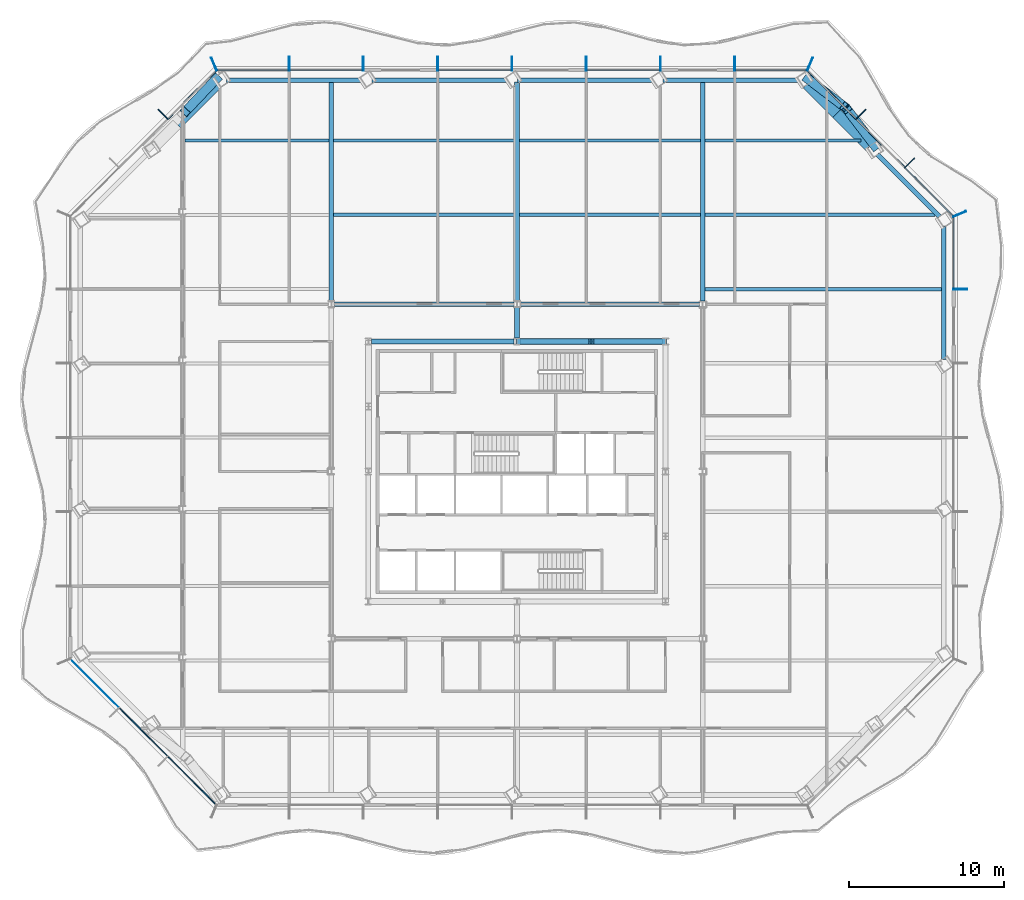
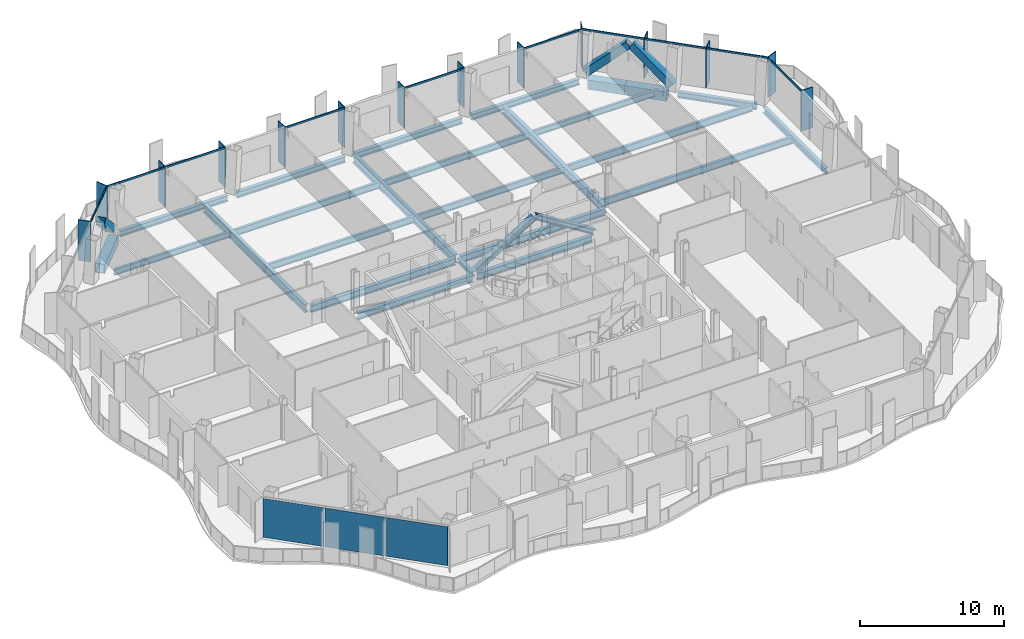
# One storey, part 5 of 22: 29 members, 25 beams, 3 plates, 5 elements without a shape of their own.
"""IFC4 building model written with IfcOpenShell, lengths in metres."""

from ifc_helpers import new_model, si_unit, direction, frame, origin, origin_2d, place, context, subcontext, project, spatial, rectangle, hollow_rectangle, i_section, extrude, material, layer, layer_set, material_profile, profile_set, type_object, element, aggregate, save


model = new_model("IFC4")

# Units and contexts
model_context = context("Model", 3, precision=1e-05, world=origin(), true_north=direction((0.0, 1.0)))
body_context = subcontext(model_context, "Body", "Model", "MODEL_VIEW")
ifc_project = project(units=[si_unit("LENGTHUNIT", "METRE"), si_unit("AREAUNIT", "SQUARE_METRE"), si_unit("VOLUMEUNIT", "CUBIC_METRE"), si_unit("PLANEANGLEUNIT", "RADIAN"), si_unit("MASSUNIT", "GRAM", prefix="KILO")], contexts=[model_context])

# Site, building, storey
site_placement = place(None, origin())
site = spatial("IfcSite", under=ifc_project, at=site_placement, CompositionType="ELEMENT")
building_placement = place(site_placement, origin())
building = spatial("IfcBuilding", under=site, at=building_placement, Name="Cairn Pilgrim Tower", CompositionType="ELEMENT")
storey_placement = place(building_placement, frame((0.0, 0.0, 112.199951171875)))
storey = spatial("IfcBuildingStorey", under=building, at=storey_placement, Name="L27", CompositionType="ELEMENT", Elevation=112.199951171875)

# Members
ifc_material_1 = material(Name="Structural steel S460M", Category="steel")
ifc_material_profile_1 = material_profile(ifc_material_1, hollow_rectangle(XDim=0.60009765625, YDim=0.60009765625, WallThickness=0.034912109375, at=origin_2d()), Name="BOX 600x600x35")
ifc_profile_set_1 = profile_set([ifc_material_profile_1], Name="Structural steel S460M")
member_type_1 = type_object("IfcMemberType", Name="BOX 600x600x35 BRACE", PredefinedType="BRACE", material=ifc_profile_set_1)
member_1_placement = place(storey_placement, frame((30.373779296875, 23.393798828125, 0.150146484375), z_axis=(-0.456701927626, 0.597574257029, 0.659035929703), x_axis=(-0.794528858287, -0.607226393818, 0.0)))
element("IfcMember", 1, at=member_1_placement, inside=storey, type_object=member_type_1, Name="XB-NE2-N1-1", PredefinedType="BRACE", context=body_context, shape_type="SweptSolid", body=[
    extrude(hollow_rectangle(XDim=0.60009765625, YDim=0.60009765625, WallThickness=0.034912109375, at=origin_2d()), origin(), (0.0, 0.0, 1.0), 4.039794921875),
])
member_2_placement = place(storey_placement, frame((25.95068359375, 27.817138671875, 0.150146484375), z_axis=(0.597535401417, -0.456718421008, 0.659059730196), x_axis=(0.607265162511, 0.794499227438, 0.0)))
element("IfcMember", 2, at=member_2_placement, inside=storey, type_object=member_type_1, Name="XB-NE2-N1-2", PredefinedType="BRACE", context=body_context, shape_type="SweptSolid", body=[
    extrude(hollow_rectangle(XDim=0.60009765625, YDim=0.60009765625, WallThickness=0.034912109375, at=origin_2d()), origin(), (0.0, 0.0, 1.0), 4.03955078125),
])
member_3_placement = place(storey_placement, frame((-12.191650390625, 27.817138671875, 0.150146484375), z_axis=(-0.515493224421, -0.54381770314, 0.662215253016), x_axis=(0.725754424786, -0.687953861028, 0.0)))
element("IfcMember", 3, at=member_3_placement, inside=storey, type_object=member_type_1, Name="XB-NW1-NW2-1", PredefinedType="BRACE", context=body_context, shape_type="SweptSolid", body=[
    extrude(hollow_rectangle(XDim=0.60009765625, YDim=0.60009765625, WallThickness=0.034912109375, at=origin_2d()), origin(), (0.0, 0.0, 1.0), 3.9736328125),
])

# Beams
ifc_material_2 = material(Name="Structural steel S355J2", Category="steel")
ifc_material_profile_2 = material_profile(ifc_material_2, hollow_rectangle(XDim=0.699951171875, YDim=0.800048828125, WallThickness=0.0400390625, at=origin_2d()), Name="BOX 700x800x40")
ifc_profile_set_2 = profile_set([ifc_material_profile_2], Name="Structural steel S355J2")
beam_type_1 = type_object("IfcBeamType", Name="BOX 700x800x40 RING GIRDER", PredefinedType="SPANDREL", material=ifc_profile_set_2)
beam_1_placement = place(storey_placement, frame((29.988525390625, 23.404541015625, -0.550048828125), z_axis=(-0.707106781187, 0.707106781187, 0.0), x_axis=(-0.707106781187, -0.707106781187, 0.0)))
element("IfcBeam", 4, at=beam_1_placement, inside=storey, type_object=beam_type_1, Name="RG1-NE2-N1-1", PredefinedType="SPANDREL", context=body_context, shape_type="SweptSolid", body=[
    extrude(hollow_rectangle(XDim=0.699951171875, YDim=0.800048828125, WallThickness=0.0400390625, at=origin_2d()), origin(), (0.0, 0.0, 1.0), 3.009765625),
])
beam_2_placement = place(storey_placement, frame((27.8603515625, 25.53271484375, -0.550048828125), z_axis=(-0.707106781187, 0.707106781187, 0.0), x_axis=(-0.707106781187, -0.707106781187, 0.0)))
element("IfcBeam", 5, at=beam_2_placement, inside=storey, type_object=beam_type_1, Name="RG1-NE2-N1-2", PredefinedType="SPANDREL", context=body_context, shape_type="SweptSolid", body=[
    extrude(hollow_rectangle(XDim=0.699951171875, YDim=0.800048828125, WallThickness=0.0400390625, at=origin_2d()), origin(), (0.0, 0.0, 1.0), 2.685791015625),
])
beam_3_placement = place(storey_placement, frame((-12.202392578125, 27.431884765625, -0.550048828125), z_axis=(-0.70707341214, -0.707140148658, 0.0), x_axis=(0.707140148658, -0.70707341214, 0.0)))
element("IfcBeam", 6, at=beam_3_placement, inside=storey, type_object=beam_type_1, Name="RG1-NW1-NW2-1", PredefinedType="SPANDREL", context=body_context, shape_type="SweptSolid", body=[
    extrude(hollow_rectangle(XDim=0.699951171875, YDim=0.800048828125, WallThickness=0.0400390625, at=origin_2d()), origin(), (0.0, 0.0, 1.0), 3.658203125),
])

# Curtain wall, member
ifc_material_3 = material(Name="Aluminium alloy 6063-T6 bronze anodised with Bronze tinted laminated low-E glass 8+16+8.8", Category="aluminium")
curtain_wall_type_1 = type_object("IfcCurtainWallType", Name="TOWER STICK CURTAIN WALL EW", PredefinedType="NOTDEFINED", material=ifc_material_3)
curtain_wall_1_placement = place(storey_placement, origin())
curtain_wall_1 = element("IfcCurtainWall", 7, at=curtain_wall_1_placement, inside=storey, type_object=curtain_wall_type_1, Name="Tower Stick Curtain Wall Ew E", PredefinedType="NOTDEFINED")
ifc_material_4 = material(Name="Aluminium alloy 6063-T6 bronze anodised", Category="aluminium")
ifc_material_profile_3 = material_profile(ifc_material_4, rectangle(XDim=0.89990234375, YDim=0.06005859375, at=origin_2d()), Name="FIN MULLION 60x900 BRONZE")
ifc_profile_set_3 = profile_set([ifc_material_profile_3], Name="Aluminium alloy 6063-T6 bronze anodised")
member_type_2 = type_object("IfcMemberType", Name="FIN MULLION 60x900 BRONZE", PredefinedType="MULLION", material=ifc_profile_set_3)
member_4_placement = place(storey_placement, frame((35.849609375, 14.186279296875, 0.0), z_axis=(0.0, 0.0, 1.0), x_axis=(1.0, 0.0, 0.0)))
member_4 = element("IfcMember", 8, at=member_4_placement, type_object=member_type_2, Name="Fin mullion E6", PredefinedType="MULLION", context=body_context, shape_type="SweptSolid", body=[
    extrude(rectangle(XDim=0.89990234375, YDim=0.06005859375, at=origin_2d()), origin(), (0.0, 0.0, 1.0), 3.449951171875),
])

# Curtain wall, members
curtain_wall_type_2 = type_object("IfcCurtainWallType", Name="CHAMFER CORNER CURTAIN WALL", PredefinedType="NOTDEFINED", material=ifc_material_3)
curtain_wall_2_placement = place(storey_placement, origin())
curtain_wall_2 = element("IfcCurtainWall", 9, at=curtain_wall_2_placement, inside=storey, type_object=curtain_wall_type_2, Name="Chamfer Corner Curtain Wall NE", PredefinedType="NOTDEFINED")
member_5_placement = place(storey_placement, frame((35.817626953125, 19.04345703125, 0.0), z_axis=(0.0, 0.0, 1.0), x_axis=(0.923879532511, 0.382683432365, 0.0)))
member_5 = element("IfcMember", 10, at=member_5_placement, type_object=member_type_2, Name="Fin mullion NE1", PredefinedType="MULLION", context=body_context, shape_type="SweptSolid", body=[
    extrude(rectangle(XDim=0.89990234375, YDim=0.06005859375, at=origin_2d()), origin(), (0.0, 0.0, 1.0), 3.449951171875),
])
member_6_placement = place(storey_placement, frame((32.5751953125, 22.3310546875, 0.0), z_axis=(0.0, 0.0, 1.0), x_axis=(0.707106781187, 0.707106781187, 0.0)))
member_6 = element("IfcMember", 11, at=member_6_placement, type_object=member_type_2, Name="Fin mullion NE2", PredefinedType="MULLION", context=body_context, shape_type="SweptSolid", body=[
    extrude(rectangle(XDim=0.89990234375, YDim=0.06005859375, at=origin_2d()), origin(), (0.0, 0.0, 1.0), 3.449951171875),
])
member_7_placement = place(storey_placement, frame((29.424072265625, 25.482177734375, 0.0), z_axis=(0.0, 0.0, 1.0), x_axis=(0.707106781187, 0.707106781187, 0.0)))
member_7 = element("IfcMember", 12, at=member_7_placement, type_object=member_type_2, Name="Fin mullion NE3", PredefinedType="MULLION", context=body_context, shape_type="SweptSolid", body=[
    extrude(rectangle(XDim=0.89990234375, YDim=0.06005859375, at=origin_2d()), origin(), (0.0, 0.0, 1.0), 3.449951171875),
])

curtain_wall_type_3 = type_object("IfcCurtainWallType", Name="TOWER STICK CURTAIN WALL NS", PredefinedType="NOTDEFINED", material=ifc_material_3)
curtain_wall_3_placement = place(storey_placement, origin())
curtain_wall_3 = element("IfcCurtainWall", 13, at=curtain_wall_3_placement, inside=storey, type_object=curtain_wall_type_3, Name="Tower Stick Curtain Wall Ns N", PredefinedType="NOTDEFINED")
member_8_placement = place(storey_placement, frame((26.13671875, 28.724365234375, 0.0), z_axis=(0.0, 0.0, 1.0), x_axis=(0.382683432365, 0.923879532511, 0.0)))
member_8 = element("IfcMember", 14, at=member_8_placement, type_object=member_type_2, Name="Fin mullion N1", PredefinedType="MULLION", context=body_context, shape_type="SweptSolid", body=[
    extrude(rectangle(XDim=0.89990234375, YDim=0.06005859375, at=origin_2d()), origin(), (0.0, 0.0, 1.0), 3.449951171875),
])
member_9_placement = place(storey_placement, frame((21.279541015625, 28.75634765625, 0.0), z_axis=(0.0, 0.0, 1.0), x_axis=(0.0, 1.0, 0.0)))
member_9 = element("IfcMember", 15, at=member_9_placement, type_object=member_type_2, Name="Fin mullion N2", PredefinedType="MULLION", context=body_context, shape_type="SweptSolid", body=[
    extrude(rectangle(XDim=0.89990234375, YDim=0.06005859375, at=origin_2d()), origin(), (0.0, 0.0, 1.0), 3.449951171875),
])
member_10_placement = place(storey_placement, frame((16.4794921875, 28.75634765625, 0.0), z_axis=(0.0, 0.0, 1.0), x_axis=(0.0, 1.0, 0.0)))
member_10 = element("IfcMember", 16, at=member_10_placement, type_object=member_type_2, Name="Fin mullion N3", PredefinedType="MULLION", context=body_context, shape_type="SweptSolid", body=[
    extrude(rectangle(XDim=0.89990234375, YDim=0.06005859375, at=origin_2d()), origin(), (0.0, 0.0, 1.0), 3.449951171875),
])
member_11_placement = place(storey_placement, frame((11.679443359375, 28.75634765625, 0.0), z_axis=(0.0, 0.0, 1.0), x_axis=(0.0, 1.0, 0.0)))
member_11 = element("IfcMember", 17, at=member_11_placement, type_object=member_type_2, Name="Fin mullion N4", PredefinedType="MULLION", context=body_context, shape_type="SweptSolid", body=[
    extrude(rectangle(XDim=0.89990234375, YDim=0.06005859375, at=origin_2d()), origin(), (0.0, 0.0, 1.0), 3.449951171875),
])
member_12_placement = place(storey_placement, frame((6.87939453125, 28.75634765625, 0.0), z_axis=(0.0, 0.0, 1.0), x_axis=(0.0, 1.0, 0.0)))
member_12 = element("IfcMember", 18, at=member_12_placement, type_object=member_type_2, Name="Fin mullion N5", PredefinedType="MULLION", context=body_context, shape_type="SweptSolid", body=[
    extrude(rectangle(XDim=0.89990234375, YDim=0.06005859375, at=origin_2d()), origin(), (0.0, 0.0, 1.0), 3.449951171875),
])
member_13_placement = place(storey_placement, frame((2.07958984375, 28.75634765625, 0.0), z_axis=(0.0, 0.0, 1.0), x_axis=(0.0, 1.0, 0.0)))
member_13 = element("IfcMember", 19, at=member_13_placement, type_object=member_type_2, Name="Fin mullion N6", PredefinedType="MULLION", context=body_context, shape_type="SweptSolid", body=[
    extrude(rectangle(XDim=0.89990234375, YDim=0.06005859375, at=origin_2d()), origin(), (0.0, 0.0, 1.0), 3.449951171875),
])
member_14_placement = place(storey_placement, frame((-2.720458984375, 28.75634765625, 0.0), z_axis=(0.0, 0.0, 1.0), x_axis=(0.0, 1.0, 0.0)))
member_14 = element("IfcMember", 20, at=member_14_placement, type_object=member_type_2, Name="Fin mullion N7", PredefinedType="MULLION", context=body_context, shape_type="SweptSolid", body=[
    extrude(rectangle(XDim=0.89990234375, YDim=0.06005859375, at=origin_2d()), origin(), (0.0, 0.0, 1.0), 3.449951171875),
])
member_15_placement = place(storey_placement, frame((-7.5205078125, 28.75634765625, 0.0), z_axis=(0.0, 0.0, 1.0), x_axis=(0.0, 1.0, 0.0)))
member_15 = element("IfcMember", 21, at=member_15_placement, type_object=member_type_2, Name="Fin mullion N8", PredefinedType="MULLION", context=body_context, shape_type="SweptSolid", body=[
    extrude(rectangle(XDim=0.89990234375, YDim=0.06005859375, at=origin_2d()), origin(), (0.0, 0.0, 1.0), 3.449951171875),
])

curtain_wall_4_placement = place(storey_placement, origin())
curtain_wall_4 = element("IfcCurtainWall", 22, at=curtain_wall_4_placement, inside=storey, type_object=curtain_wall_type_2, Name="Chamfer Corner Curtain Wall NW", PredefinedType="NOTDEFINED")
member_16_placement = place(storey_placement, frame((-12.377685546875, 28.724365234375, 0.0), z_axis=(0.0, 0.0, 1.0), x_axis=(-0.382683432365, 0.923879532511, 0.0)))
member_16 = element("IfcMember", 23, at=member_16_placement, type_object=member_type_2, Name="Fin mullion NW1", PredefinedType="MULLION", context=body_context, shape_type="SweptSolid", body=[
    extrude(rectangle(XDim=0.89990234375, YDim=0.06005859375, at=origin_2d()), origin(), (0.0, 0.0, 1.0), 3.449951171875),
])
member_17_placement = place(storey_placement, frame((-15.6650390625, 25.482177734375, 0.0), z_axis=(0.0, 0.0, 1.0), x_axis=(-0.707106781187, 0.707106781187, 0.0)))
member_17 = element("IfcMember", 24, at=member_17_placement, type_object=member_type_2, Name="Fin mullion NW2", PredefinedType="MULLION", context=body_context, shape_type="SweptSolid", body=[
    extrude(rectangle(XDim=0.89990234375, YDim=0.06005859375, at=origin_2d()), origin(), (0.0, 0.0, 1.0), 3.449951171875),
])

# Members
ifc_material_profile_4 = material_profile(ifc_material_1, i_section(OverallWidth=0.408935546875, OverallDepth=0.425048828125, WebThickness=0.03271484375, FlangeThickness=0.052490234375, FilletRadius=0.014892578125, at=origin_2d()), Name="HD 400x421")
ifc_profile_set_4 = profile_set([ifc_material_profile_4], Name="Structural steel S460M")
member_type_3 = type_object("IfcMemberType", Name="HD 400x421 BRACE", PredefinedType="BRACE", material=ifc_profile_set_4)
for number, where, z_axis, x_axis, name in (
    (25, (16.757568359375, 10.800048828125, 0.10009765625), (-0.851063308605, 0.0, 0.525063086444), (0.0, -1.0, 0.0), "KB-3A"),
    (26, (7.242431640625, 10.800048828125, 0.10009765625), (0.851063308605, 0.0, 0.525063086444), (0.0, 1.0, 0.0), "KB-3B"),
):
    element("IfcMember", number, at=place(storey_placement, frame(where, z_axis=z_axis, x_axis=x_axis)), inside=storey, type_object=member_type_3, Name=name, PredefinedType="BRACE", context=body_context, shape_type="SweptSolid", body=[
        extrude(i_section(OverallWidth=0.408935546875, OverallDepth=0.425048828125, WebThickness=0.03271484375, FlangeThickness=0.052490234375, FilletRadius=0.014892578125, at=origin_2d()), origin(), (0.0, 0.0, 1.0), 5.527587890625),
    ])

# Beams
ifc_material_profile_5 = material_profile(ifc_material_2, i_section(OverallWidth=0.300048828125, OverallDepth=0.39990234375, WebThickness=0.013427734375, FlangeThickness=0.02392578125, FilletRadius=0.027099609375, at=origin_2d()), Name="HEB 400")
ifc_profile_set_5 = profile_set([ifc_material_profile_5], Name="Structural steel S355J2")
beam_type_2 = type_object("IfcBeamType", Name="HEB 400 GIRDER", PredefinedType="BEAM", material=ifc_profile_set_5)
beam_4_placement = place(storey_placement, frame((7.199951171875, 11.011962890625, -0.349853515625), z_axis=(0.0, 1.0, 0.0), x_axis=(-1.0, 0.0, 0.0)))
element("IfcBeam", 27, at=beam_4_placement, inside=storey, type_object=beam_type_2, Name="PG3-E2", PredefinedType="BEAM", context=body_context, shape_type="SweptSolid", body=[
    extrude(i_section(OverallWidth=0.300048828125, OverallDepth=0.39990234375, WebThickness=0.013427734375, FlangeThickness=0.02392578125, FilletRadius=0.027099609375, at=origin_2d()), origin(), (0.0, 0.0, 1.0), 1.983642578125),
])
ifc_material_profile_6 = material_profile(ifc_material_2, i_section(OverallWidth=0.300048828125, OverallDepth=0.5, WebThickness=0.014404296875, FlangeThickness=0.028076171875, FilletRadius=0.027099609375, at=origin_2d()), Name="HEB 500")
ifc_profile_set_6 = profile_set([ifc_material_profile_6], Name="Structural steel S355J2")
beam_type_3 = type_object("IfcBeamType", Name="HEB 500 RING GIRDER", PredefinedType="SPANDREL", material=ifc_profile_set_6)
beam_5_placement = place(storey_placement, frame((34.779541015625, 9.6220703125, -0.39990234375), z_axis=(0.0, 1.0, 0.0), x_axis=(-1.0, 0.0, 0.0)))
element("IfcBeam", 28, at=beam_5_placement, inside=storey, type_object=beam_type_3, Name="RG1-E3-NE1", PredefinedType="SPANDREL", context=body_context, shape_type="SweptSolid", body=[
    extrude(i_section(OverallWidth=0.300048828125, OverallDepth=0.5, WebThickness=0.014404296875, FlangeThickness=0.028076171875, FilletRadius=0.027099609375, at=origin_2d()), origin(), (0.0, 0.0, 1.0), 8.63134765625),
])
beam_6_placement = place(storey_placement, frame((34.52490234375, 18.8681640625, -0.39990234375), z_axis=(-0.707085347538, 0.707128214185, 0.0), x_axis=(-0.707128214185, -0.707085347538, 0.0)))
element("IfcBeam", 29, at=beam_6_placement, inside=storey, type_object=beam_type_3, Name="RG1-NE1-NE2", PredefinedType="SPANDREL", context=body_context, shape_type="SweptSolid", body=[
    extrude(i_section(OverallWidth=0.300048828125, OverallDepth=0.5, WebThickness=0.014404296875, FlangeThickness=0.028076171875, FilletRadius=0.027099609375, at=origin_2d()), origin(), (0.0, 0.0, 1.0), 5.6953125),
])
for number, where, z_axis, x_axis, name in (
    (30, (25.3466796875, 27.686279296875, -0.39990234375), (-1.0, 0.0, 0.0), (0.0, -1.0, 0.0), "RG1-N1-N2"),
    (31, (15.93310546875, 27.686279296875, -0.39990234375), (-1.0, 0.0, 0.0), (0.0, -1.0, 0.0), "RG1-N2-N3"),
    (32, (6.51953125, 27.686279296875, -0.39990234375), (-1.0, 0.0, 0.0), (0.0, -1.0, 0.0), "RG1-N3-N4"),
    (33, (-2.89404296875, 27.686279296875, -0.39990234375), (-1.0, 0.0, 0.0), (0.0, -1.0, 0.0), "RG1-N4-NW1"),
):
    element("IfcBeam", number, at=place(storey_placement, frame(where, z_axis=z_axis, x_axis=x_axis)), inside=storey, type_object=beam_type_3, Name=name, PredefinedType="SPANDREL", context=body_context, shape_type="SweptSolid", body=[
        extrude(i_section(OverallWidth=0.300048828125, OverallDepth=0.5, WebThickness=0.014404296875, FlangeThickness=0.028076171875, FilletRadius=0.027099609375, at=origin_2d()), origin(), (0.0, 0.0, 1.0), 8.693603515625),
    ])
ifc_material_profile_7 = material_profile(ifc_material_2, i_section(OverallWidth=0.300048828125, OverallDepth=0.60009765625, WebThickness=0.015380859375, FlangeThickness=0.030029296875, FilletRadius=0.027099609375, at=origin_2d()), Name="HEB 600")
ifc_profile_set_7 = profile_set([ifc_material_profile_7], Name="Structural steel S355J2")
beam_type_4 = type_object("IfcBeamType", Name="HEB 600 CORE BEAM", PredefinedType="BEAM", material=ifc_profile_set_7)
beam_7_placement = place(storey_placement, frame((16.609130859375, 10.800048828125, -0.449951171875), z_axis=(-1.0, 0.0, 0.0), x_axis=(0.0, -1.0, 0.0)))
element("IfcBeam", 34, at=beam_7_placement, inside=storey, type_object=beam_type_4, Name="CB-5", PredefinedType="BEAM", context=body_context, shape_type="SweptSolid", body=[
    extrude(i_section(OverallWidth=0.300048828125, OverallDepth=0.60009765625, WebThickness=0.015380859375, FlangeThickness=0.030029296875, FilletRadius=0.027099609375, at=origin_2d()), origin(), (0.0, 0.0, 1.0), 9.21826171875),
])
beam_8_placement = place(storey_placement, frame((7.00927734375, 10.800048828125, -0.449951171875), z_axis=(-1.0, 0.0, 0.0), x_axis=(0.0, -1.0, 0.0)))
element("IfcBeam", 35, at=beam_8_placement, inside=storey, type_object=beam_type_4, Name="CB-6", PredefinedType="BEAM", context=body_context, shape_type="SweptSolid", body=[
    extrude(i_section(OverallWidth=0.300048828125, OverallDepth=0.60009765625, WebThickness=0.015380859375, FlangeThickness=0.030029296875, FilletRadius=0.027099609375, at=origin_2d()), origin(), (0.0, 0.0, 1.0), 9.218505859375),
])
ifc_material_profile_8 = material_profile(ifc_material_2, i_section(OverallWidth=0.300048828125, OverallDepth=0.60009765625, WebThickness=0.015380859375, FlangeThickness=0.030029296875, FilletRadius=0.027099609375, at=origin_2d()), Name="HEB 600")
ifc_profile_set_8 = profile_set([ifc_material_profile_8], Name="Structural steel S355J2")
beam_type_5 = type_object("IfcBeamType", Name="HEB 600 INNER GIRDER", PredefinedType="BEAM", material=ifc_profile_set_8)
for number, where, z_axis, x_axis, name in (
    (36, (-4.595458984375, 13.199951171875, -0.449951171875), (1.0, 0.0, 0.0), (0.0, 1.0, 0.0), "IG2-1"),
    (37, (7.404541015625, 13.199951171875, -0.449951171875), (1.0, 0.0, 0.0), (0.0, 1.0, 0.0), "IG2-2"),
):
    element("IfcBeam", number, at=place(storey_placement, frame(where, z_axis=z_axis, x_axis=x_axis)), inside=storey, type_object=beam_type_5, Name=name, PredefinedType="BEAM", context=body_context, shape_type="SweptSolid", body=[
        extrude(i_section(OverallWidth=0.300048828125, OverallDepth=0.60009765625, WebThickness=0.015380859375, FlangeThickness=0.030029296875, FilletRadius=0.027099609375, at=origin_2d()), origin(), (0.0, 0.0, 1.0), 11.591064453125),
    ])
ifc_material_profile_9 = material_profile(ifc_material_2, i_section(OverallWidth=0.300048828125, OverallDepth=0.699951171875, WebThickness=0.01708984375, FlangeThickness=0.031982421875, FilletRadius=0.027099609375, at=origin_2d()), Name="HEB 700")
ifc_profile_set_9 = profile_set([ifc_material_profile_9], Name="Structural steel S355J2")
beam_type_6 = type_object("IfcBeamType", Name="HEB 700 GIRDER", PredefinedType="BEAM", material=ifc_profile_set_9)
for number, where, z_axis, x_axis, name in (
    (38, (-4.800048828125, 13.404541015625, -0.5), (0.0, 1.0, 0.0), (-1.0, 0.0, 0.0), "PG2-4"),
    (39, (7.199951171875, 13.404541015625, -0.5), (0.0, 1.0, 0.0), (-1.0, 0.0, 0.0), "PG3-2"),
    (40, (19.199951171875, 13.404541015625, -0.5), (0.0, 1.0, 0.0), (-1.0, 0.0, 0.0), "PG4-4"),
):
    element("IfcBeam", number, at=place(storey_placement, frame(where, z_axis=z_axis, x_axis=x_axis)), inside=storey, type_object=beam_type_6, Name=name, PredefinedType="BEAM", context=body_context, shape_type="SweptSolid", body=[
        extrude(i_section(OverallWidth=0.300048828125, OverallDepth=0.699951171875, WebThickness=0.01708984375, FlangeThickness=0.031982421875, FilletRadius=0.027099609375, at=origin_2d()), origin(), (0.0, 0.0, 1.0), 14.161865234375),
    ])
ifc_material_profile_10 = material_profile(ifc_material_2, i_section(OverallWidth=0.199951171875, OverallDepth=0.5, WebThickness=0.01025390625, FlangeThickness=0.01611328125, FilletRadius=0.02099609375, at=origin_2d()), Name="IPE 500")
ifc_profile_set_10 = profile_set([ifc_material_profile_10], Name="Structural steel S355J2")
beam_type_7 = type_object("IfcBeamType", Name="IPE 500 SECONDARY BEAM", PredefinedType="JOIST", material=ifc_profile_set_10)
beam_9_placement = place(storey_placement, frame((-14.25, 23.786376953125, -0.39990234375), z_axis=(1.0, 0.0, 0.0), x_axis=(0.0, 1.0, 0.0)))
element("IfcBeam", 41, at=beam_9_placement, inside=storey, type_object=beam_type_7, Name="SB9-1", PredefinedType="JOIST", context=body_context, shape_type="SweptSolid", body=[
    extrude(i_section(OverallWidth=0.199951171875, OverallDepth=0.5, WebThickness=0.01025390625, FlangeThickness=0.01611328125, FilletRadius=0.02099609375, at=origin_2d()), origin(), (0.0, 0.0, 1.0), 9.300048828125),
])
beam_10_placement = place(storey_placement, frame((19.35009765625, 23.786376953125, -0.39990234375), z_axis=(1.0, 0.0, 0.0), x_axis=(0.0, 1.0, 0.0)))
element("IfcBeam", 42, at=beam_10_placement, inside=storey, type_object=beam_type_7, Name="SB9-4", PredefinedType="JOIST", context=body_context, shape_type="SweptSolid", body=[
    extrude(i_section(OverallWidth=0.199951171875, OverallDepth=0.5, WebThickness=0.01025390625, FlangeThickness=0.01611328125, FilletRadius=0.02099609375, at=origin_2d()), origin(), (0.0, 0.0, 1.0), 10.074462890625),
])
ifc_material_profile_11 = material_profile(ifc_material_2, i_section(OverallWidth=0.2099609375, OverallDepth=0.550048828125, WebThickness=0.010986328125, FlangeThickness=0.01708984375, FilletRadius=0.02392578125, at=origin_2d()), Name="IPE 550")
ifc_profile_set_11 = profile_set([ifc_material_profile_11], Name="Structural steel S355J2")
beam_type_8 = type_object("IfcBeamType", Name="IPE 550 SECONDARY BEAM", PredefinedType="JOIST", material=ifc_profile_set_11)
for number, where, z_axis, x_axis, name in (
    (43, (-4.64990234375, 18.986328125, -0.425048828125), (1.0, 0.0, 0.0), (0.0, 1.0, 0.0), "SB8-3"),
    (44, (7.35009765625, 18.986328125, -0.425048828125), (1.0, 0.0, 0.0), (0.0, 1.0, 0.0), "SB8-4"),
    (45, (-4.64990234375, 23.786376953125, -0.425048828125), (1.0, 0.0, 0.0), (0.0, 1.0, 0.0), "SB9-2"),
    (46, (7.35009765625, 23.786376953125, -0.425048828125), (1.0, 0.0, 0.0), (0.0, 1.0, 0.0), "SB9-3"),
):
    element("IfcBeam", number, at=place(storey_placement, frame(where, z_axis=z_axis, x_axis=x_axis)), inside=storey, type_object=beam_type_8, Name=name, PredefinedType="JOIST", context=body_context, shape_type="SweptSolid", body=[
        extrude(i_section(OverallWidth=0.2099609375, OverallDepth=0.550048828125, WebThickness=0.010986328125, FlangeThickness=0.01708984375, FilletRadius=0.02392578125, at=origin_2d()), origin(), (0.0, 0.0, 1.0), 11.699951171875),
    ])
ifc_material_profile_12 = material_profile(ifc_material_2, i_section(OverallWidth=0.219970703125, OverallDepth=0.60009765625, WebThickness=0.011962890625, FlangeThickness=0.01904296875, FilletRadius=0.02392578125, at=origin_2d()), Name="IPE 600")
ifc_profile_set_12 = profile_set([ifc_material_profile_12], Name="Structural steel S355J2")
beam_type_9 = type_object("IfcBeamType", Name="IPE 600 SECONDARY BEAM", PredefinedType="JOIST", material=ifc_profile_set_12)
beam_11_placement = place(storey_placement, frame((19.35009765625, 14.186279296875, -0.449951171875), z_axis=(1.0, 0.0, 0.0), x_axis=(0.0, 1.0, 0.0)))
element("IfcBeam", 47, at=beam_11_placement, inside=storey, type_object=beam_type_9, Name="SB7-3", PredefinedType="JOIST", context=body_context, shape_type="SweptSolid", body=[
    extrude(i_section(OverallWidth=0.219970703125, OverallDepth=0.60009765625, WebThickness=0.011962890625, FlangeThickness=0.01904296875, FilletRadius=0.02392578125, at=origin_2d()), origin(), (0.0, 0.0, 1.0), 15.309326171875),
])
beam_12_placement = place(storey_placement, frame((19.35009765625, 18.986328125, -0.449951171875), z_axis=(1.0, 0.0, 0.0), x_axis=(0.0, 1.0, 0.0)))
element("IfcBeam", 48, at=beam_12_placement, inside=storey, type_object=beam_type_9, Name="SB8-5", PredefinedType="JOIST", context=body_context, shape_type="SweptSolid", body=[
    extrude(i_section(OverallWidth=0.219970703125, OverallDepth=0.60009765625, WebThickness=0.011962890625, FlangeThickness=0.01904296875, FilletRadius=0.02392578125, at=origin_2d()), origin(), (0.0, 0.0, 1.0), 14.87451171875),
])

# Member
ifc_material_profile_13 = material_profile(ifc_material_4, rectangle(XDim=0.080078125, YDim=0.14990234375, at=origin_2d()), Name="TRANSOM 80x150 BRONZE")
ifc_profile_set_13 = profile_set([ifc_material_profile_13], Name="Aluminium alloy 6063-T6 bronze anodised")
member_type_4 = type_object("IfcMemberType", Name="TRANSOM 80x150 BRONZE", PredefinedType="USERDEFINED", material=ifc_profile_set_13)
member_18_placement = place(storey_placement, frame((35.429443359375, 14.21630859375, 3.375), z_axis=(0.0, 1.0, 0.0), x_axis=(-1.0, 0.0, 0.0)))
member_18 = element("IfcMember", 49, at=member_18_placement, type_object=member_type_4, Name="Transom E6", ObjectType="TRANSOM", PredefinedType="USERDEFINED", context=body_context, shape_type="SweptSolid", body=[
    extrude(rectangle(XDim=0.080078125, YDim=0.14990234375, at=origin_2d()), origin(), (0.0, 0.0, 1.0), 4.62646484375),
])

aggregate(curtain_wall_1, [member_4, member_18])

member_19_placement = place(storey_placement, frame((35.401123046875, 18.9111328125, 3.375), z_axis=(-0.707106781187, 0.707106781187, 0.0), x_axis=(-0.707106781187, -0.707106781187, 0.0)))
member_19 = element("IfcMember", 50, at=member_19_placement, type_object=member_type_4, Name="Transom NE1", ObjectType="TRANSOM", PredefinedType="USERDEFINED", context=body_context, shape_type="SweptSolid", body=[
    extrude(rectangle(XDim=0.080078125, YDim=0.14990234375, at=origin_2d()), origin(), (0.0, 0.0, 1.0), 4.38623046875),
])

member_20_placement = place(storey_placement, frame((32.257080078125, 22.05517578125, 3.375), z_axis=(-0.707079015032, 0.707134546251, 0.0), x_axis=(-0.707134546251, -0.707079015032, 0.0)))
member_20 = element("IfcMember", 51, at=member_20_placement, type_object=member_type_4, Name="Transom NE2", ObjectType="TRANSOM", PredefinedType="USERDEFINED", context=body_context, shape_type="SweptSolid", body=[
    extrude(rectangle(XDim=0.080078125, YDim=0.14990234375, at=origin_2d()), origin(), (0.0, 0.0, 1.0), 4.396484375),
])

member_21_placement = place(storey_placement, frame((29.10595703125, 25.206298828125, 3.375), z_axis=(-0.707106781187, 0.707106781187, 0.0), x_axis=(-0.707106781187, -0.707106781187, 0.0)))
member_21 = element("IfcMember", 52, at=member_21_placement, type_object=member_type_4, Name="Transom NE3", ObjectType="TRANSOM", PredefinedType="USERDEFINED", context=body_context, shape_type="SweptSolid", body=[
    extrude(rectangle(XDim=0.080078125, YDim=0.14990234375, at=origin_2d()), origin(), (0.0, 0.0, 1.0), 4.38671875),
])

aggregate(curtain_wall_2, [member_5, member_6, member_7, member_19, member_20, member_21])

member_22_placement = place(storey_placement, frame((25.93603515625, 28.33642578125, 3.375), z_axis=(-1.0, 0.0, 0.0), x_axis=(0.0, -1.0, 0.0)))
member_22 = element("IfcMember", 53, at=member_22_placement, type_object=member_type_4, Name="Transom N1", ObjectType="TRANSOM", PredefinedType="USERDEFINED", context=body_context, shape_type="SweptSolid", body=[
    extrude(rectangle(XDim=0.080078125, YDim=0.14990234375, at=origin_2d()), origin(), (0.0, 0.0, 1.0), 4.62646484375),
])

member_23_placement = place(storey_placement, frame((16.449462890625, 28.33642578125, 3.375), z_axis=(-1.0, 0.0, 0.0), x_axis=(0.0, -1.0, 0.0)))
member_23 = element("IfcMember", 54, at=member_23_placement, type_object=member_type_4, Name="Transom N3", ObjectType="TRANSOM", PredefinedType="USERDEFINED", context=body_context, shape_type="SweptSolid", body=[
    extrude(rectangle(XDim=0.080078125, YDim=0.14990234375, at=origin_2d()), origin(), (0.0, 0.0, 1.0), 4.739990234375),
])

member_24_placement = place(storey_placement, frame((6.849609375, 28.33642578125, 3.375), z_axis=(-1.0, 0.0, 0.0), x_axis=(0.0, -1.0, 0.0)))
member_24 = element("IfcMember", 55, at=member_24_placement, type_object=member_type_4, Name="Transom N5", ObjectType="TRANSOM", PredefinedType="USERDEFINED", context=body_context, shape_type="SweptSolid", body=[
    extrude(rectangle(XDim=0.080078125, YDim=0.14990234375, at=origin_2d()), origin(), (0.0, 0.0, 1.0), 4.739990234375),
])

member_25_placement = place(storey_placement, frame((-2.75048828125, 28.33642578125, 3.375), z_axis=(-1.0, 0.0, 0.0), x_axis=(0.0, -1.0, 0.0)))
member_25 = element("IfcMember", 56, at=member_25_placement, type_object=member_type_4, Name="Transom N7", ObjectType="TRANSOM", PredefinedType="USERDEFINED", context=body_context, shape_type="SweptSolid", body=[
    extrude(rectangle(XDim=0.080078125, YDim=0.14990234375, at=origin_2d()), origin(), (0.0, 0.0, 1.0), 4.739990234375),
])

member_26_placement = place(storey_placement, frame((-7.550537109375, 28.33642578125, 3.375), z_axis=(-1.0, 0.0, 0.0), x_axis=(0.0, -1.0, 0.0)))
member_26 = element("IfcMember", 57, at=member_26_placement, type_object=member_type_4, Name="Transom N8", ObjectType="TRANSOM", PredefinedType="USERDEFINED", context=body_context, shape_type="SweptSolid", body=[
    extrude(rectangle(XDim=0.080078125, YDim=0.14990234375, at=origin_2d()), origin(), (0.0, 0.0, 1.0), 4.62646484375),
])

aggregate(curtain_wall_3, [member_8, member_9, member_10, member_11, member_12, member_13, member_14, member_15, member_22, member_23, member_24, member_25, member_26])

member_27_placement = place(storey_placement, frame((-12.2451171875, 28.30810546875, 3.375), z_axis=(-0.707106781187, -0.707106781187, 0.0), x_axis=(0.707106781187, -0.707106781187, 0.0)))
member_27 = element("IfcMember", 58, at=member_27_placement, type_object=member_type_4, Name="Transom NW1", ObjectType="TRANSOM", PredefinedType="USERDEFINED", context=body_context, shape_type="SweptSolid", body=[
    extrude(rectangle(XDim=0.080078125, YDim=0.14990234375, at=origin_2d()), origin(), (0.0, 0.0, 1.0), 4.38671875),
])

aggregate(curtain_wall_4, [member_16, member_17, member_27])

# Curtain wall, plates
curtain_wall_5_placement = place(storey_placement, origin())
curtain_wall_5 = element("IfcCurtainWall", 59, at=curtain_wall_5_placement, inside=storey, type_object=curtain_wall_type_2, Name="Chamfer Corner Curtain Wall SW", PredefinedType="NOTDEFINED")
ifc_material_5 = material(Name="Bronze anodised aluminium spandrel panel with mineral wool insulation", Category="aluminium")
ifc_layer_1 = layer(ifc_material_5, 0.06005859375)
ifc_layer_set_1 = layer_set([ifc_layer_1], Name="SPANDREL PANEL 4386x3300")
plate_type_1 = type_object("IfcPlateType", Name="SPANDREL PANEL 4386x3300", PredefinedType="CURTAIN_PANEL", material=ifc_layer_set_1)
plate_1_placement = place(storey_placement, frame((-13.796142578125, -17.58447265625, 0.0), z_axis=(0.0, 0.0, 1.0), x_axis=(0.707106781187, -0.707106781187, 0.0)))
plate_1 = element("IfcPlate", 60, at=plate_1_placement, type_object=plate_type_1, Name="Spandrel Panel SW3-1", PredefinedType="CURTAIN_PANEL", context=body_context, shape_type="SweptSolid", body=[
    extrude(rectangle(XDim=4.386474609375, YDim=0.06005859375, at=origin_2d()), origin(), (0.0, 0.0, 1.0), 3.300048828125),
])
ifc_layer_2 = layer(ifc_material_5, 0.06005859375)
ifc_layer_set_2 = layer_set([ifc_layer_2], Name="SPANDREL PANEL 4396x3300")
plate_type_2 = type_object("IfcPlateType", Name="SPANDREL PANEL 4396x3300", PredefinedType="CURTAIN_PANEL", material=ifc_layer_set_2)
plate_2_placement = place(storey_placement, frame((-16.943603515625, -14.436767578125, 0.0), z_axis=(0.0, 0.0, 1.0), x_axis=(0.707106781187, -0.707106781187, 0.0)))
plate_2 = element("IfcPlate", 61, at=plate_2_placement, type_object=plate_type_2, Name="Spandrel Panel SW2-1", PredefinedType="CURTAIN_PANEL", context=body_context, shape_type="SweptSolid", body=[
    extrude(rectangle(XDim=4.396484375, YDim=0.06005859375, at=origin_2d()), origin(), (0.0, 0.0, 1.0), 3.300048828125),
])
ifc_material_6 = material(Name="Bronze tinted laminated low-E glass 8+16+8.8", Category="glass")
ifc_layer_3 = layer(ifc_material_6, 0.033935546875)
ifc_layer_set_3 = layer_set([ifc_layer_3], Name="VISION GLAZING 4386x3300")
plate_type_3 = type_object("IfcPlateType", Name="VISION GLAZING 4386x3300", PredefinedType="CURTAIN_PANEL", material=ifc_layer_set_3)
plate_3_placement = place(storey_placement, frame((-20.09130859375, -11.289306640625, 0.0), z_axis=(0.0, 0.0, 1.0), x_axis=(0.707106781187, -0.707106781187, 0.0)))
plate_3 = element("IfcPlate", 62, at=plate_3_placement, type_object=plate_type_3, Name="Vision Glazing SW1-1", PredefinedType="CURTAIN_PANEL", context=body_context, shape_type="SweptSolid", body=[
    extrude(rectangle(XDim=4.386474609375, YDim=0.033935546875, at=origin_2d()), origin(), (0.0, 0.0, 1.0), 3.300048828125),
])
aggregate(curtain_wall_5, [plate_3, plate_2, plate_1])

save(model, "model.ifc")
